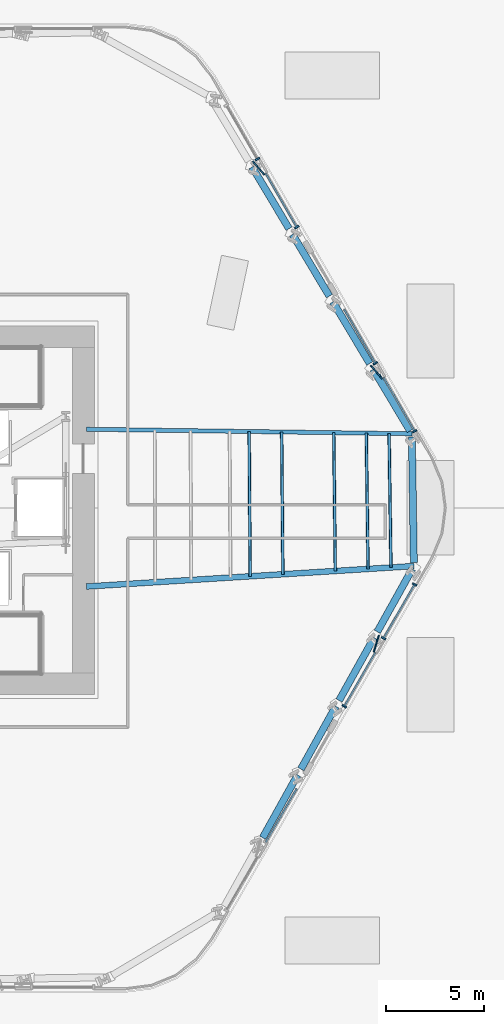
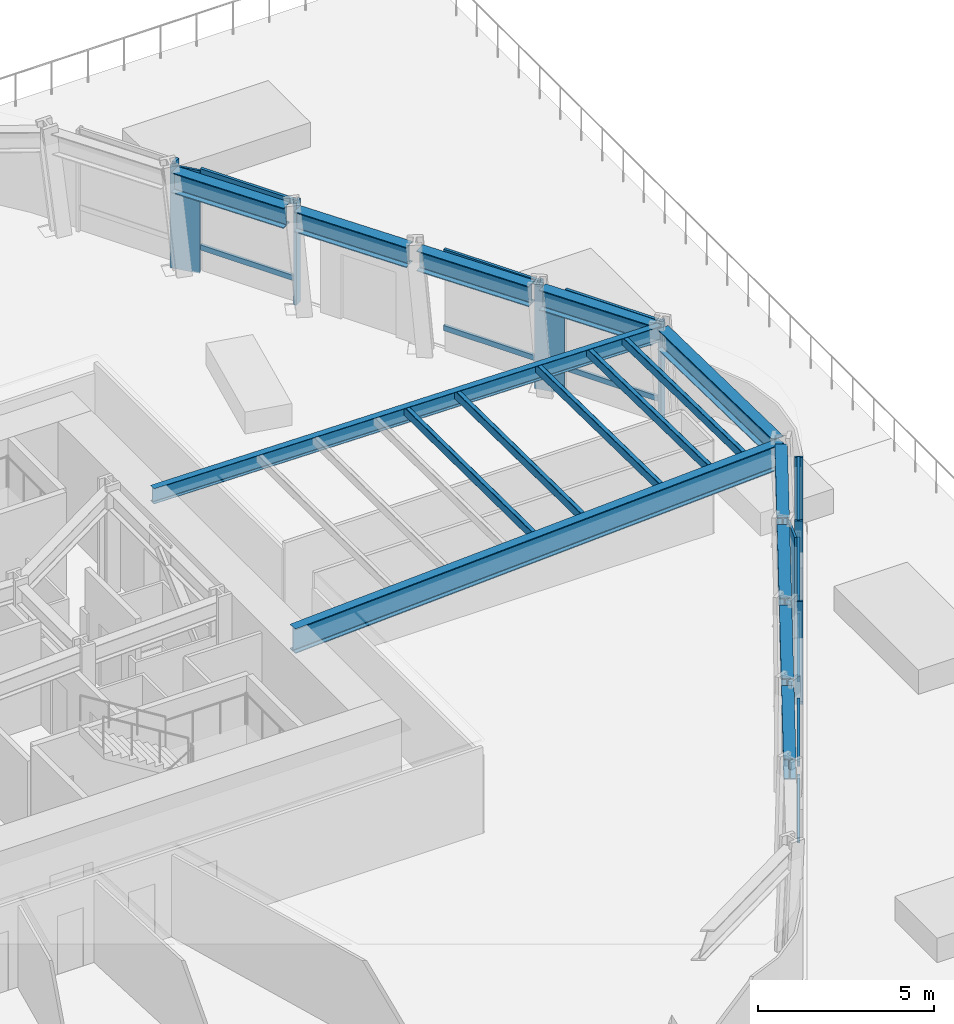
# One storey, part 6 of 18: 27 members, 11 beams, 2 elements without a shape of their own.
"""IFC4 building model written with IfcOpenShell, lengths in metres."""

from ifc_helpers import new_model, si_unit, direction, frame, origin, origin_2d, place, context, subcontext, project, spatial, rectangle, hollow_rectangle, i_section, extrude, material, layer, layer_set, material_profile, profile_set, type_object, element, aggregate, save


model = new_model("IFC4")

# Units and contexts
model_context = context("Model", 3, precision=1e-05, world=origin(), true_north=direction((0.0, 1.0)))
body_context = subcontext(model_context, "Body", "Model", "MODEL_VIEW")
ifc_project = project(units=[si_unit("LENGTHUNIT", "METRE"), si_unit("AREAUNIT", "SQUARE_METRE"), si_unit("VOLUMEUNIT", "CUBIC_METRE"), si_unit("PLANEANGLEUNIT", "RADIAN"), si_unit("MASSUNIT", "GRAM", prefix="KILO")], contexts=[model_context])

# Site, building, storey
site_placement = place(None, origin())
site = spatial("IfcSite", under=ifc_project, at=site_placement, CompositionType="ELEMENT")
building_placement = place(site_placement, origin())
building = spatial("IfcBuilding", under=site, at=building_placement, Name="Valkerne Bourse Tower", CompositionType="ELEMENT")
storey_placement = place(building_placement, frame((0.0, 0.0, 24.0)))
storey = spatial("IfcBuildingStorey", under=building, at=storey_placement, Name="L05", CompositionType="ELEMENT", Elevation=24.0)

# Beams
ifc_material_1 = material(Name="Steel ASTM A992", Category="steel")
ifc_material_profile_1 = material_profile(ifc_material_1, i_section(OverallWidth=0.209228515625, OverallDepth=0.533447265625, WebThickness=0.01025390625, FlangeThickness=0.015625, FilletRadius=0.017822265625, at=origin_2d()), Name="W21X62")
ifc_profile_set_1 = profile_set([ifc_material_profile_1], Name="Steel ASTM A992")
beam_type_1 = type_object("IfcBeamType", Name="BM-W21X62", PredefinedType="JOIST", material=ifc_profile_set_1)
beam_1_placement = place(storey_placement, frame((72.551513671875, 30.76953125, 3.313232421875), z_axis=(-0.999903070602, 0.013922981026, 0.0), x_axis=(-0.013922981026, -0.999903070602, 0.0)))
element("IfcBeam", 1, at=beam_1_placement, inside=storey, type_object=beam_type_1, Name="L05 Radial Composite Floor Beam 00", PredefinedType="JOIST", context=body_context, shape_type="SweptSolid", body=[
    extrude(i_section(OverallWidth=0.209228515625, OverallDepth=0.533447265625, WebThickness=0.01025390625, FlangeThickness=0.015625, FilletRadius=0.017822265625, at=origin_2d()), origin(), (0.0, 0.0, 1.0), 16.55322265625),
])
ifc_material_profile_2 = material_profile(ifc_material_1, i_section(OverallWidth=0.358154296875, OverallDepth=0.7060546875, WebThickness=0.018310546875, FlangeThickness=0.0302734375, FilletRadius=0.02294921875, at=origin_2d()), Name="W27X178")
ifc_profile_set_2 = profile_set([ifc_material_profile_2], Name="Steel ASTM A992")
beam_type_2 = type_object("IfcBeamType", Name="BM-W27X178", PredefinedType="SPANDREL", material=ifc_profile_set_2)
for number, where, z_axis, x_axis, name in (
    (2, (72.464111328125, 30.915283203125, 3.226806640625), (-0.513513406634, 0.858081570253, 0.0), (-0.858081570253, -0.513513406634, 0.0), "L05 Hexagonal Spandrel Ring Beam 00"),
    (3, (70.412109375, 34.34423828125, 3.226806640625), (-0.513591998571, 0.858034532524, 0.0), (-0.858034532524, -0.513591998571, 0.0), "L05 Hexagonal Spandrel Ring Beam 01"),
):
    element("IfcBeam", number, at=place(storey_placement, frame(where, z_axis=z_axis, x_axis=x_axis)), inside=storey, type_object=beam_type_2, Name=name, PredefinedType="SPANDREL", context=body_context, shape_type="SweptSolid", body=[
        extrude(i_section(OverallWidth=0.358154296875, OverallDepth=0.7060546875, WebThickness=0.018310546875, FlangeThickness=0.0302734375, FilletRadius=0.02294921875, at=origin_2d()), origin(), (0.0, 0.0, 1.0), 3.656005859375),
    ])
for number, where, z_axis, x_axis, name in (
    (4, (68.35986328125, 37.77294921875, 3.226806640625), (-0.513542832295, 0.858063959969, 0.0), (-0.858063959969, -0.513542832295, 0.0), "L05 Hexagonal Spandrel Ring Beam 02"),
    (5, (66.307861328125, 41.201904296875, 3.226806640625), (-0.513542832295, 0.858063959969, 0.0), (-0.858063959969, -0.513542832295, 0.0), "L05 Hexagonal Spandrel Ring Beam 03"),
):
    element("IfcBeam", number, at=place(storey_placement, frame(where, z_axis=z_axis, x_axis=x_axis)), inside=storey, type_object=beam_type_2, Name=name, PredefinedType="SPANDREL", context=body_context, shape_type="SweptSolid", body=[
        extrude(i_section(OverallWidth=0.358154296875, OverallDepth=0.7060546875, WebThickness=0.018310546875, FlangeThickness=0.0302734375, FilletRadius=0.02294921875, at=origin_2d()), origin(), (0.0, 0.0, 1.0), 3.65576171875),
    ])
for number, where, z_axis, x_axis, name in (
    (6, (64.96630859375, 10.223388671875, 3.226806640625), (0.486334484643, 0.87377272162, 0.0), (-0.87377272162, 0.486334484643, 0.0), "L05 Hexagonal Spandrel Ring Beam 31"),
    (7, (66.90966796875, 13.715087890625, 3.226806640625), (0.486334484643, 0.87377272162, 0.0), (-0.87377272162, 0.486334484643, 0.0), "L05 Hexagonal Spandrel Ring Beam 32"),
    (8, (68.85302734375, 17.20654296875, 3.226806640625), (0.486334484643, 0.87377272162, 0.0), (-0.87377272162, 0.486334484643, 0.0), "L05 Hexagonal Spandrel Ring Beam 33"),
    (9, (70.79638671875, 20.6982421875, 3.226806640625), (0.486334484643, 0.87377272162, 0.0), (-0.87377272162, 0.486334484643, 0.0), "L05 Hexagonal Spandrel Ring Beam 34"),
):
    element("IfcBeam", number, at=place(storey_placement, frame(where, z_axis=z_axis, x_axis=x_axis)), inside=storey, type_object=beam_type_2, Name=name, PredefinedType="SPANDREL", context=body_context, shape_type="SweptSolid", body=[
        extrude(i_section(OverallWidth=0.358154296875, OverallDepth=0.7060546875, WebThickness=0.018310546875, FlangeThickness=0.0302734375, FilletRadius=0.02294921875, at=origin_2d()), origin(), (0.0, 0.0, 1.0), 3.656005859375),
    ])
beam_2_placement = place(storey_placement, frame((72.654541015625, 24.211181640625, 3.226806640625), z_axis=(-0.015704869177, 0.999876670937, 0.0), x_axis=(-0.999876670937, -0.015704869177, 0.0)))
element("IfcBeam", 10, at=beam_2_placement, inside=storey, type_object=beam_type_2, Name="L05 Hexagonal Spandrel Ring Beam 35", PredefinedType="SPANDREL", context=body_context, shape_type="SweptSolid", body=[
    extrude(i_section(OverallWidth=0.358154296875, OverallDepth=0.7060546875, WebThickness=0.018310546875, FlangeThickness=0.0302734375, FilletRadius=0.02294921875, at=origin_2d()), origin(), (0.0, 0.0, 1.0), 6.38916015625),
])
ifc_material_profile_3 = material_profile(ifc_material_1, i_section(OverallWidth=0.2919921875, OverallDepth=0.8583984375, WebThickness=0.01708984375, FlangeThickness=0.031005859375, FilletRadius=0.025390625, at=origin_2d()), Name="W33X169")
ifc_profile_set_3 = profile_set([ifc_material_profile_3], Name="Steel ASTM A992")
beam_type_3 = type_object("IfcBeamType", Name="BM-W33X169", PredefinedType="BEAM", material=ifc_profile_set_3)
beam_3_placement = place(storey_placement, frame((72.6572265625, 24.041259765625, 3.150634765625), z_axis=(-0.998051895395, -0.062389214602, 0.0), x_axis=(0.062389214602, -0.998051895395, 0.0)))
element("IfcBeam", 11, at=beam_3_placement, inside=storey, type_object=beam_type_3, Name="L05 Radial Composite Floor Beam 35", PredefinedType="BEAM", context=body_context, shape_type="SweptSolid", body=[
    extrude(i_section(OverallWidth=0.2919921875, OverallDepth=0.8583984375, WebThickness=0.01708984375, FlangeThickness=0.031005859375, FilletRadius=0.025390625, at=origin_2d()), origin(), (0.0, 0.0, 1.0), 16.689697265625),
])

# Curtain wall, members
ifc_material_2 = material(Name="Aluminium AA 6063-T6", Category="aluminium")
ifc_layer = layer(ifc_material_2, 0.22509765625)
ifc_layer_set = layer_set([ifc_layer], Name="Aluminium AA 6063-T6")
curtain_wall_type = type_object("IfcCurtainWallType", Name="CW-01", PredefinedType="NOTDEFINED", material=ifc_layer_set)
curtain_wall_1_placement = place(storey_placement, origin())
curtain_wall_1 = element("IfcCurtainWall", 12, at=curtain_wall_1_placement, inside=storey, type_object=curtain_wall_type, Name="L05 Hexagonal Stick Curtain Wall Face 1", PredefinedType="NOTDEFINED")
ifc_material_profile_4 = material_profile(ifc_material_2, rectangle(XDim=0.090087890625, YDim=0.239990234375, at=origin_2d()), Name="CWM-90X240")
ifc_profile_set_4 = profile_set([ifc_material_profile_4], Name="Aluminium AA 6063-T6")
member_type_1 = type_object("IfcMemberType", Name="CW-MUL-240X90", PredefinedType="MULLION", material=ifc_profile_set_4)
member_1_placement = place(storey_placement, frame((72.69189453125, 30.898193359375, 0.0), z_axis=(0.0, 0.0, 1.0), x_axis=(-0.500004065051, 0.866023056813, 0.0)))
member_1 = element("IfcMember", 13, at=member_1_placement, type_object=member_type_1, Name="CW-L05-F1 Jamb Mullion 00A", PredefinedType="MULLION", context=body_context, shape_type="SweptSolid", body=[
    extrude(rectangle(XDim=0.090087890625, YDim=0.239990234375, at=origin_2d()), origin(), (0.0, 0.0, 1.0), 3.580078125),
])
member_2_placement = place(storey_placement, frame((70.694091796875, 34.35888671875, 0.0), z_axis=(0.0, 0.0, 1.0), x_axis=(-0.499993228951, 0.866029313016, 0.0)))
member_2 = element("IfcMember", 14, at=member_2_placement, type_object=member_type_1, Name="CW-L05-F1 Jamb Mullion 01A", PredefinedType="MULLION", context=body_context, shape_type="SweptSolid", body=[
    extrude(rectangle(XDim=0.090087890625, YDim=0.239990234375, at=origin_2d()), origin(), (0.0, 0.0, 1.0), 3.580078125),
])
member_3_placement = place(storey_placement, frame((66.697998046875, 41.280029296875, 0.0), z_axis=(0.0, 0.0, 1.0), x_axis=(-0.499993228951, 0.866029313016, 0.0)))
member_3 = element("IfcMember", 15, at=member_3_placement, type_object=member_type_1, Name="CW-L05-F1 Jamb Mullion 03A", PredefinedType="MULLION", context=body_context, shape_type="SweptSolid", body=[
    extrude(rectangle(XDim=0.090087890625, YDim=0.239990234375, at=origin_2d()), origin(), (0.0, 0.0, 1.0), 3.580078125),
])
member_4_placement = place(storey_placement, frame((64.699951171875, 44.74072265625, 0.0), z_axis=(0.0, 0.0, 1.0), x_axis=(-0.500004065051, 0.866023056813, 0.0)))
member_4 = element("IfcMember", 16, at=member_4_placement, type_object=member_type_1, Name="CW-L05-F1 Jamb Mullion 04A", PredefinedType="MULLION", context=body_context, shape_type="SweptSolid", body=[
    extrude(rectangle(XDim=0.090087890625, YDim=0.239990234375, at=origin_2d()), origin(), (0.0, 0.0, 1.0), 3.580078125),
])

curtain_wall_2_placement = place(storey_placement, origin())
curtain_wall_2 = element("IfcCurtainWall", 17, at=curtain_wall_2_placement, inside=storey, type_object=curtain_wall_type, Name="L05 Hexagonal Stick Curtain Wall Face 6", PredefinedType="NOTDEFINED")
member_5_placement = place(storey_placement, frame((69.115966796875, 16.907958984375, 0.0), z_axis=(0.0, 0.0, 1.0), x_axis=(0.499993228951, 0.866029313016, 0.0)))
member_5 = element("IfcMember", 18, at=member_5_placement, type_object=member_type_1, Name="CW-L05-F6 Jamb Mullion 03A", PredefinedType="MULLION", context=body_context, shape_type="SweptSolid", body=[
    extrude(rectangle(XDim=0.090087890625, YDim=0.239990234375, at=origin_2d()), origin(), (0.0, 0.0, 1.0), 3.580078125),
])
member_6_placement = place(storey_placement, frame((71.114013671875, 20.36865234375, 0.0), z_axis=(0.0, 0.0, 1.0), x_axis=(0.500004065051, 0.866023056813, 0.0)))
member_6 = element("IfcMember", 19, at=member_6_placement, type_object=member_type_1, Name="CW-L05-F6 Jamb Mullion 04A", PredefinedType="MULLION", context=body_context, shape_type="SweptSolid", body=[
    extrude(rectangle(XDim=0.090087890625, YDim=0.239990234375, at=origin_2d()), origin(), (0.0, 0.0, 1.0), 3.580078125),
])
member_7_placement = place(storey_placement, frame((72.69189453125, 23.101806640625, 0.0), z_axis=(0.0, 0.0, 1.0), x_axis=(0.500004065051, 0.866023056813, 0.0)))
member_7 = element("IfcMember", 20, at=member_7_placement, type_object=member_type_1, Name="CW-L05-F6 Jamb Mullion 04B", PredefinedType="MULLION", context=body_context, shape_type="SweptSolid", body=[
    extrude(rectangle(XDim=0.090087890625, YDim=0.239990234375, at=origin_2d()), origin(), (0.0, 0.0, 1.0), 3.580078125),
])

# Member
ifc_material_profile_5 = material_profile(ifc_material_2, rectangle(XDim=0.090087890625, YDim=0.179931640625, at=origin_2d()), Name="CWT-90X180")
ifc_profile_set_5 = profile_set([ifc_material_profile_5], Name="Aluminium AA 6063-T6")
member_type_2 = type_object("IfcMemberType", Name="CW-TRN-180X90", PredefinedType="USERDEFINED", material=ifc_profile_set_5)
member_8_placement = place(storey_placement, frame((72.69189453125, 30.898193359375, 0.85009765625), z_axis=(-0.499974687925, 0.866040017224, 0.0), x_axis=(-0.866040017224, -0.499974687925, 0.0)))
member_8 = element("IfcMember", 21, at=member_8_placement, type_object=member_type_2, Name="CW-L05-F1 Bay Transom 00-1", ObjectType="TRANSOM", PredefinedType="USERDEFINED", context=body_context, shape_type="SweptSolid", body=[
    extrude(rectangle(XDim=0.090087890625, YDim=0.179931640625, at=origin_2d()), origin(), (0.0, 0.0, 1.0), 3.156005859375),
])

member_9_placement = place(storey_placement, frame((72.69189453125, 30.898193359375, 3.5), z_axis=(-0.499974687925, 0.866040017224, 0.0), x_axis=(-0.866040017224, -0.499974687925, 0.0)))
member_9 = element("IfcMember", 22, at=member_9_placement, type_object=member_type_2, Name="CW-L05-F1 Bay Transom 00-2", ObjectType="TRANSOM", PredefinedType="USERDEFINED", context=body_context, shape_type="SweptSolid", body=[
    extrude(rectangle(XDim=0.090087890625, YDim=0.179931640625, at=origin_2d()), origin(), (0.0, 0.0, 1.0), 3.156005859375),
])

member_10_placement = place(storey_placement, frame((70.694091796875, 34.35888671875, 0.85009765625), z_axis=(-0.50003270617, 0.866006520045, 0.0), x_axis=(-0.866006520045, -0.50003270617, 0.0)))
member_10 = element("IfcMember", 23, at=member_10_placement, type_object=member_type_2, Name="CW-L05-F1 Bay Transom 01-1", ObjectType="TRANSOM", PredefinedType="USERDEFINED", context=body_context, shape_type="SweptSolid", body=[
    extrude(rectangle(XDim=0.090087890625, YDim=0.179931640625, at=origin_2d()), origin(), (0.0, 0.0, 1.0), 3.156005859375),
])

member_11_placement = place(storey_placement, frame((70.694091796875, 34.35888671875, 3.5), z_axis=(-0.50003270617, 0.866006520045, 0.0), x_axis=(-0.866006520045, -0.50003270617, 0.0)))
member_11 = element("IfcMember", 24, at=member_11_placement, type_object=member_type_2, Name="CW-L05-F1 Bay Transom 01-2", ObjectType="TRANSOM", PredefinedType="USERDEFINED", context=body_context, shape_type="SweptSolid", body=[
    extrude(rectangle(XDim=0.090087890625, YDim=0.179931640625, at=origin_2d()), origin(), (0.0, 0.0, 1.0), 3.156005859375),
])

member_12_placement = place(storey_placement, frame((66.697998046875, 41.280029296875, 0.85009765625), z_axis=(-0.499999210213, 0.866025859768, 0.0), x_axis=(-0.866025859768, -0.499999210213, 0.0)))
member_12 = element("IfcMember", 25, at=member_12_placement, type_object=member_type_2, Name="CW-L05-F1 Bay Transom 03-1", ObjectType="TRANSOM", PredefinedType="USERDEFINED", context=body_context, shape_type="SweptSolid", body=[
    extrude(rectangle(XDim=0.090087890625, YDim=0.179931640625, at=origin_2d()), origin(), (0.0, 0.0, 1.0), 3.15625),
])

member_13_placement = place(storey_placement, frame((66.697998046875, 41.280029296875, 3.5), z_axis=(-0.499999210213, 0.866025859768, 0.0), x_axis=(-0.866025859768, -0.499999210213, 0.0)))
member_13 = element("IfcMember", 26, at=member_13_placement, type_object=member_type_2, Name="CW-L05-F1 Bay Transom 03-2", ObjectType="TRANSOM", PredefinedType="USERDEFINED", context=body_context, shape_type="SweptSolid", body=[
    extrude(rectangle(XDim=0.090087890625, YDim=0.179931640625, at=origin_2d()), origin(), (0.0, 0.0, 1.0), 3.15625),
])

aggregate(curtain_wall_1, [member_1, member_8, member_9, member_2, member_10, member_11, member_3, member_12, member_13, member_4])

member_14_placement = place(storey_placement, frame((65.119873046875, 9.986572265625, 0.85009765625), z_axis=(0.499999210213, 0.866025859768, 0.0), x_axis=(-0.866025859768, 0.499999210213, 0.0)))
member_14 = element("IfcMember", 27, at=member_14_placement, type_object=member_type_2, Name="CW-L05-F6 Bay Transom 01-1", ObjectType="TRANSOM", PredefinedType="USERDEFINED", context=body_context, shape_type="SweptSolid", body=[
    extrude(rectangle(XDim=0.090087890625, YDim=0.179931640625, at=origin_2d()), origin(), (0.0, 0.0, 1.0), 3.15625),
])

member_15_placement = place(storey_placement, frame((65.119873046875, 9.986572265625, 3.5), z_axis=(0.499999210213, 0.866025859768, 0.0), x_axis=(-0.866025859768, 0.499999210213, 0.0)))
member_15 = element("IfcMember", 28, at=member_15_placement, type_object=member_type_2, Name="CW-L05-F6 Bay Transom 01-2", ObjectType="TRANSOM", PredefinedType="USERDEFINED", context=body_context, shape_type="SweptSolid", body=[
    extrude(rectangle(XDim=0.090087890625, YDim=0.179931640625, at=origin_2d()), origin(), (0.0, 0.0, 1.0), 3.15625),
])

member_16_placement = place(storey_placement, frame((69.115966796875, 16.907958984375, 0.85009765625), z_axis=(0.50003270617, 0.866006520045, 0.0), x_axis=(-0.866006520045, 0.50003270617, 0.0)))
member_16 = element("IfcMember", 29, at=member_16_placement, type_object=member_type_2, Name="CW-L05-F6 Bay Transom 03-1", ObjectType="TRANSOM", PredefinedType="USERDEFINED", context=body_context, shape_type="SweptSolid", body=[
    extrude(rectangle(XDim=0.090087890625, YDim=0.179931640625, at=origin_2d()), origin(), (0.0, 0.0, 1.0), 3.156005859375),
])

member_17_placement = place(storey_placement, frame((69.115966796875, 16.907958984375, 3.5), z_axis=(0.50003270617, 0.866006520045, 0.0), x_axis=(-0.866006520045, 0.50003270617, 0.0)))
member_17 = element("IfcMember", 30, at=member_17_placement, type_object=member_type_2, Name="CW-L05-F6 Bay Transom 03-2", ObjectType="TRANSOM", PredefinedType="USERDEFINED", context=body_context, shape_type="SweptSolid", body=[
    extrude(rectangle(XDim=0.090087890625, YDim=0.179931640625, at=origin_2d()), origin(), (0.0, 0.0, 1.0), 3.156005859375),
])

member_18_placement = place(storey_placement, frame((71.114013671875, 20.36865234375, 0.85009765625), z_axis=(0.499974687925, 0.866040017224, 0.0), x_axis=(-0.866040017224, 0.499974687925, 0.0)))
member_18 = element("IfcMember", 31, at=member_18_placement, type_object=member_type_2, Name="CW-L05-F6 Bay Transom 04-1", ObjectType="TRANSOM", PredefinedType="USERDEFINED", context=body_context, shape_type="SweptSolid", body=[
    extrude(rectangle(XDim=0.090087890625, YDim=0.179931640625, at=origin_2d()), origin(), (0.0, 0.0, 1.0), 3.156005859375),
])

member_19_placement = place(storey_placement, frame((71.114013671875, 20.36865234375, 3.5), z_axis=(0.499974687925, 0.866040017224, 0.0), x_axis=(-0.866040017224, 0.499974687925, 0.0)))
member_19 = element("IfcMember", 32, at=member_19_placement, type_object=member_type_2, Name="CW-L05-F6 Bay Transom 04-2", ObjectType="TRANSOM", PredefinedType="USERDEFINED", context=body_context, shape_type="SweptSolid", body=[
    extrude(rectangle(XDim=0.090087890625, YDim=0.179931640625, at=origin_2d()), origin(), (0.0, 0.0, 1.0), 3.156005859375),
])

aggregate(curtain_wall_2, [member_14, member_15, member_5, member_16, member_17, member_6, member_7, member_18, member_19])

# Members
ifc_material_3 = material(Name="Bronze Anodised Aluminium AA 6063-T6", Category="aluminium")
ifc_material_profile_6 = material_profile(ifc_material_3, rectangle(XDim=0.070068359375, YDim=0.89990234375, at=origin_2d()), Name="FIN-70X900")
ifc_profile_set_6 = profile_set([ifc_material_profile_6], Name="Bronze Anodised Aluminium AA 6063-T6")
member_type_3 = type_object("IfcMemberType", Name="FIN-SOLAR-900", PredefinedType="USERDEFINED", material=ifc_profile_set_6)
for number, where, z_axis, x_axis, name in (
    (33, (70.748046875, 33.905029296875, 0.00390625), (0.0, 0.0, 1.0), (0.753488059796, 0.657461591079, 0.0), "L05 Bronze Anodised Solar Fin F1-01"),
    (34, (64.754150390625, 44.287109375, 0.00390625), (0.0, 0.0, 1.0), (0.753481056974, 0.657469616623, 0.0), "L05 Bronze Anodised Solar Fin F1-04"),
    (35, (70.748046875, 20.094970703125, 0.00390625), (0.0, 0.0, 1.0), (0.955967432733, -0.293472771401, 0.0), "L05 Bronze Anodised Solar Fin F6-04"),
):
    element("IfcMember", number, at=place(storey_placement, frame(where, z_axis=z_axis, x_axis=x_axis)), inside=storey, type_object=member_type_3, Name=name, ObjectType="SOLAR_FIN", PredefinedType="USERDEFINED", context=body_context, shape_type="SweptSolid", body=[
        extrude(rectangle(XDim=0.070068359375, YDim=0.89990234375, at=origin_2d()), origin(), (0.0, 0.0, 1.0), 3.572021484375),
    ])
ifc_material_4 = material(Name="Steel ASTM A500 Grade C", Category="steel")
ifc_material_profile_7 = material_profile(ifc_material_4, hollow_rectangle(XDim=0.14990234375, YDim=0.300048828125, WallThickness=0.012451171875, OuterFilletRadius=0.02490234375, at=origin_2d()), Name="HSS300X150X12.5")
ifc_profile_set_7 = profile_set([ifc_material_profile_7], Name="Steel ASTM A500 Grade C")
member_type_4 = type_object("IfcMemberType", Name="MBR-HSS300X150X12.5", PredefinedType="PURLIN", material=ifc_profile_set_7)
member_20_placement = place(storey_placement, frame((64.32861328125, 23.5205078125, 3.419921875), z_axis=(-0.007160670409, 0.999974362071, 0.0), x_axis=(-0.999974362071, -0.007160670409, 0.0)))
element("IfcMember", 36, at=member_20_placement, inside=storey, type_object=member_type_4, Name="L05 Secondary Composite Floor Purlin M-35", PredefinedType="PURLIN", context=body_context, shape_type="SweptSolid", body=[
    extrude(hollow_rectangle(XDim=0.14990234375, YDim=0.300048828125, WallThickness=0.012451171875, OuterFilletRadius=0.02490234375, at=origin_2d()), origin(), (0.0, 0.0, 1.0), 7.364501953125),
])
member_21_placement = place(storey_placement, frame((68.659423828125, 23.79150390625, 3.419921875), z_axis=(-0.011419694076, 0.999934793168, 0.0), x_axis=(-0.999934793168, -0.011419694076, 0.0)))
element("IfcMember", 37, at=member_21_placement, inside=storey, type_object=member_type_4, Name="L05 Secondary Composite Floor Purlin O-35", PredefinedType="PURLIN", context=body_context, shape_type="SweptSolid", body=[
    extrude(hollow_rectangle(XDim=0.14990234375, YDim=0.300048828125, WallThickness=0.012451171875, OuterFilletRadius=0.02490234375, at=origin_2d()), origin(), (0.0, 0.0, 1.0), 7.03369140625),
])
member_22_placement = place(storey_placement, frame((65.994384765625, 23.624755859375, 3.419921875), z_axis=(-0.008770704703, 0.99996153663, 0.0), x_axis=(-0.99996153663, -0.008770704703, 0.0)))
element("IfcMember", 38, at=member_22_placement, inside=storey, type_object=member_type_4, Name="L05 Secondary Composite Floor Purlin Z-35", PredefinedType="PURLIN", context=body_context, shape_type="SweptSolid", body=[
    extrude(hollow_rectangle(XDim=0.14990234375, YDim=0.300048828125, WallThickness=0.012451171875, OuterFilletRadius=0.02490234375, at=origin_2d()), origin(), (0.0, 0.0, 1.0), 7.2373046875),
])
member_23_placement = place(storey_placement, frame((70.3251953125, 23.8955078125, 3.419921875), z_axis=(-0.013149315553, 0.999913544013, 0.0), x_axis=(-0.999913544013, -0.013149315553, 0.0)))
element("IfcMember", 39, at=member_23_placement, inside=storey, type_object=member_type_4, Name="L05 Secondary Composite Floor Purlin T-35", PredefinedType="PURLIN", context=body_context, shape_type="SweptSolid", body=[
    extrude(hollow_rectangle(XDim=0.14990234375, YDim=0.300048828125, WallThickness=0.012451171875, OuterFilletRadius=0.02490234375, at=origin_2d()), origin(), (0.0, 0.0, 1.0), 6.90673828125),
])
member_24_placement = place(storey_placement, frame((71.4912109375, 23.968505859375, 3.419921875), z_axis=(-0.014431043743, 0.999895867066, 0.0), x_axis=(-0.999895867066, -0.014431043743, 0.0)))
element("IfcMember", 40, at=member_24_placement, inside=storey, type_object=member_type_4, Name="L05 Secondary Composite Floor Purlin U-35", PredefinedType="PURLIN", context=body_context, shape_type="SweptSolid", body=[
    extrude(hollow_rectangle(XDim=0.14990234375, YDim=0.300048828125, WallThickness=0.012451171875, OuterFilletRadius=0.02490234375, at=origin_2d()), origin(), (0.0, 0.0, 1.0), 6.81787109375),
])

save(model, "model.ifc")
